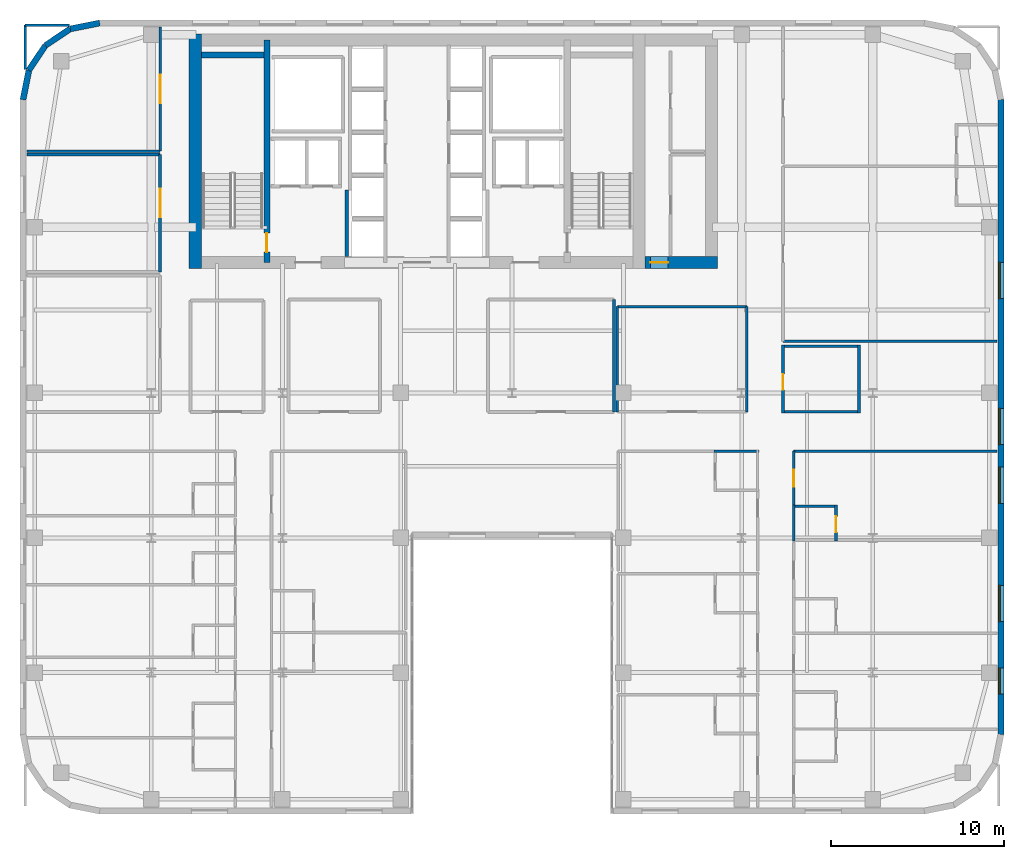
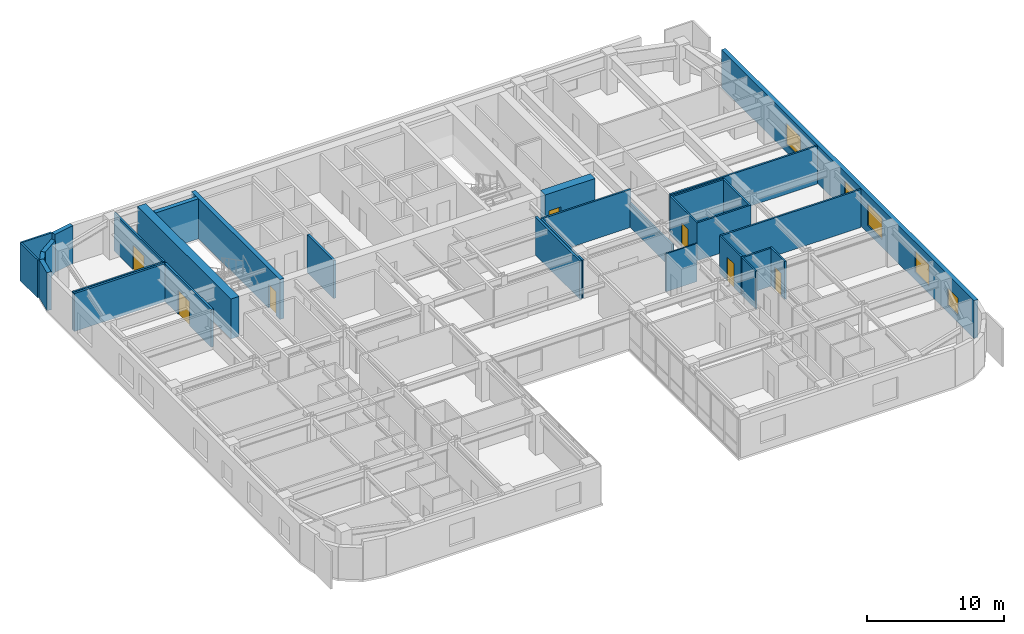
# One storey, part 13 of 17: 31 walls, 7 doors, 5 windows, 12 openings.
"""IFC4 building model written with IfcOpenShell, lengths in metres."""

from ifc_helpers import new_model, si_unit, direction, frame, frame_2d, origin, place, context, subcontext, project, spatial, rectangle, extrude, source, transform, mapped, material, layer, layer_set, type_object, type_shapes, element, fill, save


model = new_model("IFC4")

# Units and contexts
model_context = context("Model", 3, precision=1e-05, world=origin(), true_north=direction((0.0, 1.0)))
body_context = subcontext(model_context, "Body", "Model", "MODEL_VIEW")
ifc_project = project(units=[si_unit("LENGTHUNIT", "METRE"), si_unit("AREAUNIT", "SQUARE_METRE"), si_unit("VOLUMEUNIT", "CUBIC_METRE"), si_unit("PLANEANGLEUNIT", "RADIAN"), si_unit("MASSUNIT", "GRAM", prefix="KILO")], contexts=[model_context])

# Site, building, storey
site_placement = place(None, origin())
site = spatial("IfcSite", under=ifc_project, at=site_placement, CompositionType="ELEMENT")
building_placement = place(site_placement, origin())
building = spatial("IfcBuilding", under=site, at=building_placement, Name="Tolvann Quenvar Hotel", CompositionType="ELEMENT")
storey_placement = place(building_placement, frame((0.0, 0.0, 108.0)))
storey = spatial("IfcBuildingStorey", under=building, at=storey_placement, Name="L27", CompositionType="ELEMENT", Elevation=108.0)

# Wall
ifc_material_1 = material(Name="Concrete S65 (65 MPa)", Category="concrete")
ifc_layer_1 = layer(ifc_material_1, 0.699951171875)
ifc_layer_set_1 = layer_set([ifc_layer_1], Name="Concrete S65 (65 MPa)")
wall_type_1 = type_object("IfcWallType", Name="WALL_CORE_700", PredefinedType="SHEAR", material=ifc_layer_set_1)
wall_1_placement = place(storey_placement, frame((10.14990234375, 31.60009765625, 0.0), z_axis=(0.0, 0.0, 1.0), x_axis=(0.0, 1.0, 0.0)))
element("IfcWall", 1, at=wall_1_placement, inside=storey, type_object=wall_type_1, Name="Rear Core W Shear Wall (L27)", PredefinedType="SHEAR", context=body_context, shape_type="SweptSolid", body=[
    extrude(rectangle(XDim=13.599853515625, YDim=0.699951171875, at=frame_2d((6.7998046875, 0.0))), origin(), (0.0, 0.0, 1.0), 3.550048828125),
])

# Wall, opening, door
wall_2_placement = place(storey_placement, frame((36.199951171875, 31.949951171875, 0.0), z_axis=(0.0, 0.0, 1.0), x_axis=(1.0, 0.0, 0.0)))
wall_2 = element("IfcWall", 2, at=wall_2_placement, inside=storey, type_object=wall_type_1, Name="Core East Annex Shear Wall ANN-S (L27)", PredefinedType="SHEAR", context=body_context, shape_type="SweptSolid", body=[
    extrude(rectangle(XDim=4.199951171875, YDim=0.699951171875, at=frame_2d((2.10009765625, 0.0))), origin(), (0.0, 0.0, 1.0), 3.550048828125),
])
opening_1_placement = place(wall_2_placement, frame((1.340087890625, 0.0, 0.0), z_axis=(0.0, 0.0, 1.0), x_axis=(-1.0, 0.0, 0.0)))
opening_1 = element("IfcOpeningElement", 3, at=opening_1_placement, cuts=wall_2, Name="Opening HD-01", PredefinedType="OPENING", context=body_context, shape_type="SweptSolid", body=[
    extrude(rectangle(XDim=1.02001953125, YDim=2.030029296875, at=frame_2d((0.510009765625, 1.01513671875))), frame((0.0, 0.35986328125, 0.0), z_axis=(0.0, -1.0, 0.0), x_axis=(1.0, 0.0, 0.0)), (0.0, 0.0, 1.0), 0.719970703125),
])
ifc_material_2 = material(Name="Pressed galvanised steel fire-rated door set", Category="steel")
door_type_1 = type_object("IfcDoorType", Name="DOOR_BOH_1020", OperationType="NOTDEFINED", PredefinedType="DOOR", material=ifc_material_2)
shared_shape_1 = source(origin(), body_context, "Body", "SweptSolid", [
    extrude(rectangle(XDim=1.02001953125, YDim=2.030029296875, at=frame_2d((0.510009765625, 1.01513671875))), frame((0.0, 0.02490234375, 0.0), z_axis=(0.0, -1.0, 0.0), x_axis=(1.0, 0.0, 0.0)), (0.0, 0.0, 1.0), 0.050048828125),
])
type_shapes(door_type_1, [shared_shape_1])
door_1_placement = place(opening_1_placement, origin())
door_1 = element("IfcDoor", 4, at=door_1_placement, inside=storey, type_object=door_type_1, Name="Housekeeping Annex Fire Door (L27)", OperationType="SINGLE_SWING_RIGHT", OverallHeight=2.030029296875, OverallWidth=1.02001953125, PredefinedType="DOOR", context=body_context, shape_type="MappedRepresentation", body=[
    mapped(shared_shape_1, transform((0.0, 0.0, 0.0), x_axis=(1.0, 0.0, 0.0), y_axis=(0.0, 1.0, 0.0), z_axis=(0.0, 0.0, 1.0), scale=1.0)),
])
fill(opening_1, door_1)

ifc_layer_2 = layer(ifc_material_1, 0.35009765625)
ifc_layer_set_2 = layer_set([ifc_layer_2], Name="Concrete S65 (65 MPa)")
wall_type_2 = type_object("IfcWallType", Name="WALL_CORE_INT_350", PredefinedType="SHEAR", material=ifc_layer_set_2)
wall_3_placement = place(storey_placement, frame((14.300048828125, 31.949951171875, 0.0), z_axis=(0.0, 0.0, 1.0), x_axis=(0.0, 1.0, 0.0)))
wall_3 = element("IfcWall", 5, at=wall_3_placement, inside=storey, type_object=wall_type_2, Name="Core Internal Web Shear Wall WEB-W (L27)", PredefinedType="SHEAR", context=body_context, shape_type="SweptSolid", body=[
    extrude(rectangle(XDim=12.900146484375, YDim=0.35009765625, at=frame_2d((6.4501953125, 0.0))), origin(), (0.0, 0.0, 1.0), 3.550048828125),
])
opening_2_placement = place(wall_3_placement, frame((0.60009765625, 0.0, 0.0)))
opening_2 = element("IfcOpeningElement", 6, at=opening_2_placement, cuts=wall_3, Name="Opening FD-120", PredefinedType="OPENING", context=body_context, shape_type="SweptSolid", body=[
    extrude(rectangle(XDim=1.10009765625, YDim=2.1201171875, at=frame_2d((0.550048828125, 1.06005859375))), frame((0.0, 0.18505859375, 0.0), z_axis=(0.0, -1.0, 0.0), x_axis=(1.0, 0.0, 0.0)), (0.0, 0.0, 1.0), 0.3701171875),
])
door_type_2 = type_object("IfcDoorType", Name="DOOR_FIRE_STAIR_1100", OperationType="NOTDEFINED", PredefinedType="DOOR", material=ifc_material_2)
shared_shape_2 = source(origin(), body_context, "Body", "SweptSolid", [
    extrude(rectangle(XDim=1.10009765625, YDim=2.1201171875, at=frame_2d((0.550048828125, 1.06005859375))), frame((0.0, 0.02490234375, 0.0), z_axis=(0.0, -1.0, 0.0), x_axis=(1.0, 0.0, 0.0)), (0.0, 0.0, 1.0), 0.050048828125),
])
type_shapes(door_type_2, [shared_shape_2])
door_2_placement = place(opening_2_placement, origin())
door_2 = element("IfcDoor", 7, at=door_2_placement, inside=storey, type_object=door_type_2, Name="Exit Stair ST-C1 Fire Door (L27)", OperationType="SINGLE_SWING_RIGHT", OverallHeight=2.1201171875, OverallWidth=1.10009765625, PredefinedType="DOOR", context=body_context, shape_type="MappedRepresentation", body=[
    mapped(shared_shape_2, transform((0.0, 0.0, 0.0), x_axis=(1.0, 0.0, 0.0), y_axis=(0.0, 1.0, 0.0), z_axis=(0.0, 0.0, 1.0), scale=1.0)),
])
fill(opening_2, door_2)

# Wall
wall_4_placement = place(storey_placement, frame((10.52001953125, 43.97509765625, 0.0), z_axis=(0.0, 0.0, 1.0), x_axis=(1.0, 0.0, 0.0)))
element("IfcWall", 8, at=wall_4_placement, inside=storey, type_object=wall_type_2, Name="Core Stair North Closing Shear Wall STC1-N (L27)", PredefinedType="SHEAR", context=body_context, shape_type="SweptSolid", body=[
    extrude(rectangle(XDim=3.60009765625, YDim=0.35009765625, at=frame_2d((1.800048828125, 0.0))), origin(), (0.0, 0.0, 1.0), 3.550048828125),
])

# Wall, openings, windows
ifc_material_3 = material(Name="Kiln-fired red and buff architectural clay brickwork and terracotta masonry", Category="masonry")
ifc_layer_3 = layer(ifc_material_3, 0.35009765625)
ifc_layer_set_3 = layer_set([ifc_layer_3], Name="Kiln-fired red and buff architectural clay brickwork and terracotta masonry")
wall_type_3 = type_object("IfcWallType", Name="WALL_EXT_BRICK_350", PredefinedType="SOLIDWALL", material=ifc_layer_set_3)
wall_5_placement = place(storey_placement, frame((56.824951171875, 4.6171875, 0.0), z_axis=(0.0, 0.0, 1.0), x_axis=(0.0, 1.0, 0.0)))
wall_5 = element("IfcWall", 9, at=wall_5_placement, inside=storey, type_object=wall_type_3, Name="Exterior Chicago Brick Wall L27-E13", PredefinedType="SOLIDWALL", context=body_context, shape_type="SweptSolid", body=[
    extrude(rectangle(XDim=36.765625, YDim=0.35009765625, at=frame_2d((18.3828125, 0.0))), origin(), (0.0, 0.0, 1.0), 3.3701171875),
])
opening_3_placement = place(wall_5_placement, frame((6.528076171875, 0.0, 0.679931640625)))
opening_3 = element("IfcOpeningElement", 10, at=opening_3_placement, cuts=wall_5, Name="Opening W-02", PredefinedType="OPENING", context=body_context, shape_type="SweptSolid", body=[
    extrude(rectangle(XDim=2.10009765625, YDim=1.89990234375, at=frame_2d((1.050048828125, 0.949951171875))), frame((0.0, 0.18505859375, 0.0), z_axis=(0.0, -1.0, 0.0), x_axis=(1.0, 0.0, 0.0)), (0.0, 0.0, 1.0), 0.3701171875),
])
opening_4_placement = place(wall_5_placement, frame((13.381103515625, 0.0, 0.679931640625)))
opening_4 = element("IfcOpeningElement", 11, at=opening_4_placement, cuts=wall_5, Name="Opening W-02", PredefinedType="OPENING", context=body_context, shape_type="SweptSolid", body=[
    extrude(rectangle(XDim=2.10009765625, YDim=1.89990234375, at=frame_2d((1.050048828125, 0.949951171875))), frame((0.0, 0.18505859375, 0.0), z_axis=(0.0, -1.0, 0.0), x_axis=(1.0, 0.0, 0.0)), (0.0, 0.0, 1.0), 0.3701171875),
])
opening_5_placement = place(wall_5_placement, frame((16.782958984375, 0.0, 0.679931640625)))
opening_5 = element("IfcOpeningElement", 12, at=opening_5_placement, cuts=wall_5, Name="Opening W-02", PredefinedType="OPENING", context=body_context, shape_type="SweptSolid", body=[
    extrude(rectangle(XDim=2.10009765625, YDim=1.89990234375, at=frame_2d((1.050048828125, 0.949951171875))), frame((0.0, 0.18505859375, 0.0), z_axis=(0.0, -1.0, 0.0), x_axis=(1.0, 0.0, 0.0)), (0.0, 0.0, 1.0), 0.3701171875),
])
opening_6_placement = place(wall_5_placement, frame((25.236083984375, 0.0, 0.679931640625)))
opening_6 = element("IfcOpeningElement", 13, at=opening_6_placement, cuts=wall_5, Name="Opening W-02", PredefinedType="OPENING", context=body_context, shape_type="SweptSolid", body=[
    extrude(rectangle(XDim=2.10009765625, YDim=1.89990234375, at=frame_2d((1.050048828125, 0.949951171875))), frame((0.0, 0.18505859375, 0.0), z_axis=(0.0, -1.0, 0.0), x_axis=(1.0, 0.0, 0.0)), (0.0, 0.0, 1.0), 0.3701171875),
])
opening_7_placement = place(wall_5_placement, frame((2.3330078125, 0.0, 0.6201171875)))
opening_7 = element("IfcOpeningElement", 14, at=opening_7_placement, cuts=wall_5, Name="Opening W-08", PredefinedType="OPENING", context=body_context, shape_type="SweptSolid", body=[
    extrude(rectangle(XDim=1.5, YDim=1.550048828125, at=frame_2d((0.75, 0.77490234375))), frame((0.0, 0.18505859375, 0.0), z_axis=(0.0, -1.0, 0.0), x_axis=(1.0, 0.0, 0.0)), (0.0, 0.0, 1.0), 0.3701171875),
])
ifc_material_4 = material(Name="Thermally broken bronze-anodised aluminium frame with double low-E glazing", Category="aluminium")
window_type_1 = type_object("IfcWindowType", Name="WIN_COR_1500x2050", PartitioningType="SINGLE_PANEL", PredefinedType="WINDOW", material=ifc_material_4)
shared_shape_3 = source(origin(), body_context, "Body", "SweptSolid", [
    extrude(rectangle(XDim=1.5, YDim=1.550048828125, at=frame_2d((0.75, 0.77490234375))), frame((0.0, 0.090087890625, 0.0), z_axis=(0.0, -1.0, 0.0), x_axis=(1.0, 0.0, 0.0)), (0.0, 0.0, 1.0), 0.06005859375),
])
type_shapes(window_type_1, [shared_shape_3])
window_1_placement = place(opening_7_placement, origin())
window_1 = element("IfcWindow", 15, at=window_1_placement, inside=storey, type_object=window_type_1, Name="Chicago Window W-08 (EW-L27-E13-WD05)", OverallHeight=1.550048828125, OverallWidth=1.5, PartitioningType="SINGLE_PANEL", PredefinedType="WINDOW", context=body_context, shape_type="MappedRepresentation", body=[
    mapped(shared_shape_3, transform((0.0, 0.0, 0.0), x_axis=(1.0, 0.0, 0.0), y_axis=(0.0, 1.0, 0.0), z_axis=(0.0, 0.0, 1.0), scale=1.0)),
])
fill(opening_7, window_1)
window_type_2 = type_object("IfcWindowType", Name="WIN_CHI_2100x2050", PartitioningType="TRIPLE_PANEL_HORIZONTAL", PredefinedType="WINDOW", material=ifc_material_4)
shared_shape_4 = source(origin(), body_context, "Body", "SweptSolid", [
    extrude(rectangle(XDim=2.10009765625, YDim=1.89990234375, at=frame_2d((1.050048828125, 0.949951171875))), frame((0.0, 0.090087890625, 0.0), z_axis=(0.0, -1.0, 0.0), x_axis=(1.0, 0.0, 0.0)), (0.0, 0.0, 1.0), 0.06005859375),
])
type_shapes(window_type_2, [shared_shape_4])
window_2_placement = place(opening_3_placement, origin())
window_2 = element("IfcWindow", 16, at=window_2_placement, inside=storey, type_object=window_type_2, Name="Chicago Window W-02 (EW-L27-E13-W01)", OverallHeight=1.89990234375, OverallWidth=2.10009765625, PartitioningType="TRIPLE_PANEL_HORIZONTAL", PredefinedType="WINDOW", context=body_context, shape_type="MappedRepresentation", body=[
    mapped(shared_shape_4, transform((0.0, 0.0, 0.0), x_axis=(1.0, 0.0, 0.0), y_axis=(0.0, 1.0, 0.0), z_axis=(0.0, 0.0, 1.0), scale=1.0)),
])
fill(opening_3, window_2)
window_3_placement = place(opening_4_placement, origin())
window_3 = element("IfcWindow", 17, at=window_3_placement, inside=storey, type_object=window_type_2, Name="Chicago Window W-02 (EW-L27-E13-W02)", OverallHeight=1.89990234375, OverallWidth=2.10009765625, PartitioningType="TRIPLE_PANEL_HORIZONTAL", PredefinedType="WINDOW", context=body_context, shape_type="MappedRepresentation", body=[
    mapped(shared_shape_4, transform((0.0, 0.0, 0.0), x_axis=(1.0, 0.0, 0.0), y_axis=(0.0, 1.0, 0.0), z_axis=(0.0, 0.0, 1.0), scale=1.0)),
])
fill(opening_4, window_3)
window_4_placement = place(opening_5_placement, origin())
window_4 = element("IfcWindow", 18, at=window_4_placement, inside=storey, type_object=window_type_2, Name="Chicago Window W-02 (EW-L27-E13-W03)", OverallHeight=1.89990234375, OverallWidth=2.10009765625, PartitioningType="TRIPLE_PANEL_HORIZONTAL", PredefinedType="WINDOW", context=body_context, shape_type="MappedRepresentation", body=[
    mapped(shared_shape_4, transform((0.0, 0.0, 0.0), x_axis=(1.0, 0.0, 0.0), y_axis=(0.0, 1.0, 0.0), z_axis=(0.0, 0.0, 1.0), scale=1.0)),
])
fill(opening_5, window_4)
window_5_placement = place(opening_6_placement, origin())
window_5 = element("IfcWindow", 19, at=window_5_placement, inside=storey, type_object=window_type_2, Name="Chicago Window W-02 (EW-L27-E13-W04)", OverallHeight=1.89990234375, OverallWidth=2.10009765625, PartitioningType="TRIPLE_PANEL_HORIZONTAL", PredefinedType="WINDOW", context=body_context, shape_type="MappedRepresentation", body=[
    mapped(shared_shape_4, transform((0.0, 0.0, 0.0), x_axis=(1.0, 0.0, 0.0), y_axis=(0.0, 1.0, 0.0), z_axis=(0.0, 0.0, 1.0), scale=1.0)),
])
fill(opening_6, window_5)

# Walls
wall_6_placement = place(storey_placement, frame((4.6171875, 45.824951171875, 0.0), z_axis=(0.0, 0.0, 1.0), x_axis=(-0.980800971659, -0.195011420161, 0.0)))
element("IfcWall", 20, at=wall_6_placement, inside=storey, type_object=wall_type_3, Name="Exterior Chicago Brick Wall L27-E19", PredefinedType="SOLIDWALL", context=body_context, shape_type="SweptSolid", body=[
    extrude(rectangle(XDim=1.74267578125, YDim=0.35009765625, at=frame_2d((0.871337890625, 0.0))), origin(), (0.0, 0.0, 1.0), 3.3701171875),
])
for number, where, z_axis, x_axis, name in (
    (21, (2.907958984375, 45.485107421875, 0.0), (0.0, 0.0, 1.0), (-0.831483840845, -0.55554893791, 0.0), "Exterior Chicago Brick Wall L27-E20"),
    (22, (1.473388671875, 44.526611328125, 0.0), (0.0, 0.0, 1.0), (-0.55554893791, -0.831483840845, 0.0), "Exterior Chicago Brick Wall L27-E21"),
):
    element("IfcWall", number, at=place(storey_placement, frame(where, z_axis=z_axis, x_axis=x_axis)), inside=storey, type_object=wall_type_3, Name=name, PredefinedType="SOLIDWALL", context=body_context, shape_type="SweptSolid", body=[
        extrude(rectangle(XDim=1.725341796875, YDim=0.35009765625, at=frame_2d((0.86279296875, 0.0))), origin(), (0.0, 0.0, 1.0), 2.83203125),
    ])
wall_7_placement = place(storey_placement, frame((0.514892578125, 43.092041015625, 0.0), z_axis=(0.0, 0.0, 1.0), x_axis=(-0.195011420161, -0.980800971659, 0.0)))
element("IfcWall", 23, at=wall_7_placement, inside=storey, type_object=wall_type_3, Name="Exterior Chicago Brick Wall L27-E22", PredefinedType="SOLIDWALL", context=body_context, shape_type="SweptSolid", body=[
    extrude(rectangle(XDim=1.74267578125, YDim=0.35009765625, at=frame_2d((0.871337890625, 0.0))), origin(), (0.0, 0.0, 1.0), 3.3701171875),
])
ifc_material_5 = material(Name="Acoustic twin-stud fire-rated gypsum plasterboard partition")
ifc_layer_4 = layer(ifc_material_5, 0.179931640625)
ifc_layer_set_4 = layer_set([ifc_layer_4], Name="Acoustic twin-stud fire-rated gypsum plasterboard partition")
wall_type_4 = type_object("IfcWallType", Name="WALL_PART_ACOUSTIC_180", PredefinedType="PARTITIONING", material=ifc_layer_set_4)
wall_8_placement = place(storey_placement, frame((0.405029296875, 38.199951171875, 0.0), z_axis=(0.0, 0.0, 1.0), x_axis=(1.0, 0.0, 0.0)))
element("IfcWall", 24, at=wall_8_placement, inside=storey, type_object=wall_type_4, Name="Interior Partition PT-SPC-L27-MTG-N", PredefinedType="PARTITIONING", context=body_context, shape_type="SweptSolid", body=[
    extrude(rectangle(XDim=7.715087890625, YDim=0.179931640625, at=frame_2d((3.857421875, 0.0))), origin(), (0.0, 0.0, 1.0), 3.3701171875),
])

# Wall, opening, door
wall_9_placement = place(storey_placement, frame((8.1201171875, 31.39990234375, 0.0), z_axis=(0.0, 0.0, 1.0), x_axis=(0.0, 1.0, 0.0)))
wall_9 = element("IfcWall", 25, at=wall_9_placement, inside=storey, type_object=wall_type_4, Name="Interior Partition PT-SPC-L27-MTG-E", PredefinedType="PARTITIONING", context=body_context, shape_type="SweptSolid", body=[
    extrude(rectangle(XDim=6.800048828125, YDim=0.179931640625, at=frame_2d((3.39990234375, 0.0))), origin(), (0.0, 0.0, 1.0), 3.3701171875),
])
opening_8_placement = place(wall_9_placement, frame((3.175048828125, 0.0, 0.0)))
opening_8 = element("IfcOpeningElement", 26, at=opening_8_placement, cuts=wall_9, Name="Opening AD-01", PredefinedType="OPENING", context=body_context, shape_type="SweptSolid", body=[
    extrude(rectangle(XDim=1.64990234375, YDim=2.14990234375, at=frame_2d((0.824951171875, 1.074951171875))), frame((0.0, 0.10009765625, 0.0), z_axis=(0.0, -1.0, 0.0), x_axis=(1.0, 0.0, 0.0)), (0.0, 0.0, 1.0), 0.199951171875),
])
ifc_material_6 = material(Name="Solid-core American oak acoustic fire door leaf in steel frame", Category="steel")
door_type_3 = type_object("IfcDoorType", Name="DOOR_SALON_1650", OperationType="NOTDEFINED", PredefinedType="DOOR", material=ifc_material_6)
shared_shape_5 = source(origin(), body_context, "Body", "SweptSolid", [
    extrude(rectangle(XDim=1.64990234375, YDim=2.14990234375, at=frame_2d((0.824951171875, 1.074951171875))), frame((0.0, 0.02490234375, 0.0), z_axis=(0.0, -1.0, 0.0), x_axis=(1.0, 0.0, 0.0)), (0.0, 0.0, 1.0), 0.050048828125),
])
type_shapes(door_type_3, [shared_shape_5])
door_3_placement = place(opening_8_placement, origin())
door_3 = element("IfcDoor", 27, at=door_3_placement, inside=storey, type_object=door_type_3, Name="Interior Door DOOR-SPC-L27-MTG", OperationType="DOUBLE_DOOR_SINGLE_SWING", OverallHeight=2.14990234375, OverallWidth=1.64990234375, PredefinedType="DOOR", context=body_context, shape_type="MappedRepresentation", body=[
    mapped(shared_shape_5, transform((0.0, 0.0, 0.0), x_axis=(1.0, 0.0, 0.0), y_axis=(0.0, 1.0, 0.0), z_axis=(0.0, 0.0, 1.0), scale=1.0)),
])
fill(opening_8, door_3)

# Walls
wall_10_placement = place(storey_placement, frame((34.39990234375, 23.300048828125, 0.0), z_axis=(0.0, 0.0, 1.0), x_axis=(0.0, 1.0, 0.0)))
element("IfcWall", 28, at=wall_10_placement, inside=storey, type_object=wall_type_4, Name="Interior Partition PT-SPC-L27-MSP-C-E", PredefinedType="PARTITIONING", context=body_context, shape_type="SweptSolid", body=[
    extrude(rectangle(XDim=6.5, YDim=0.179931640625, at=frame_2d((3.25, 0.0))), origin(), (0.0, 0.0, 1.0), 3.3701171875),
])
ifc_material_7 = material(Name="Moisture-resistant acoustic plumbing wall assembly")
ifc_layer_5 = layer(ifc_material_7, 0.1201171875)
ifc_layer_set_5 = layer_set([ifc_layer_5], Name="Moisture-resistant acoustic plumbing wall assembly")
wall_type_5 = type_object("IfcWallType", Name="WALL_PART_BATH_120", PredefinedType="PLUMBINGWALL", material=ifc_layer_set_5)
wall_11_placement = place(storey_placement, frame((40.2099609375, 21.02001953125, 0.0), z_axis=(0.0, 0.0, 1.0), x_axis=(1.0, 0.0, 0.0)))
element("IfcWall", 29, at=wall_11_placement, inside=storey, type_object=wall_type_5, Name="Non-Rated Plumbing Partition PT-SPC-L27-ENS-EI03-N", PredefinedType="PLUMBINGWALL", context=body_context, shape_type="SweptSolid", body=[
    extrude(rectangle(XDim=2.590087890625, YDim=0.1201171875, at=frame_2d((1.294921875, 0.0))), origin(), (0.0, 0.0, 1.0), 3.3701171875),
])
wall_12_placement = place(storey_placement, frame((44.820068359375, 15.81005859375, 0.0), z_axis=(0.0, 0.0, 1.0), x_axis=(0.0, 1.0, 0.0)))
element("IfcWall", 30, at=wall_12_placement, inside=storey, type_object=wall_type_5, Name="Non-Rated Plumbing Partition PT-SPC-L27-ENS-EO04-W", PredefinedType="PLUMBINGWALL", context=body_context, shape_type="SweptSolid", body=[
    extrude(rectangle(XDim=2.093017578125, YDim=0.1201171875, at=frame_2d((1.04638671875, 0.0))), origin(), (0.0, 0.0, 1.0), 3.3701171875),
])

# Wall, opening, door
ifc_layer_6 = layer(ifc_material_5, 0.14990234375)
ifc_layer_set_6 = layer_set([ifc_layer_6], Name="Acoustic twin-stud fire-rated gypsum plasterboard partition")
wall_type_6 = type_object("IfcWallType", Name="WALL_PART_SUITE_150", PredefinedType="PARTITIONING", material=ifc_layer_set_6)
wall_13_placement = place(storey_placement, frame((47.27001953125, 15.81005859375, 0.0), z_axis=(0.0, 0.0, 1.0), x_axis=(0.0, 1.0, 0.0)))
wall_13 = element("IfcWall", 31, at=wall_13_placement, inside=storey, type_object=wall_type_6, Name="Interior Partition PT-SPC-L27-ENS-EO04-ENT", PredefinedType="PARTITIONING", context=body_context, shape_type="SweptSolid", body=[
    extrude(rectangle(XDim=2.093017578125, YDim=0.14990234375, at=frame_2d((1.04638671875, 0.0))), origin(), (0.0, 0.0, 1.0), 3.3701171875),
])
opening_9_placement = place(wall_13_placement, frame((0.5166015625, 0.0, 0.0)))
opening_9 = element("IfcOpeningElement", 32, at=opening_9_placement, cuts=wall_13, Name="Opening WD-01", PredefinedType="OPENING", context=body_context, shape_type="SweptSolid", body=[
    extrude(rectangle(XDim=0.919921875, YDim=2.010009765625, at=frame_2d((0.4599609375, 1.0048828125))), frame((0.0, 0.0849609375, 0.0), z_axis=(0.0, -1.0, 0.0), x_axis=(1.0, 0.0, 0.0)), (0.0, 0.0, 1.0), 0.169921875),
])
door_type_4 = type_object("IfcDoorType", Name="DOOR_WC_920", OperationType="NOTDEFINED", PredefinedType="DOOR", material=ifc_material_6)
shared_shape_6 = source(origin(), body_context, "Body", "SweptSolid", [
    extrude(rectangle(XDim=0.919921875, YDim=2.010009765625, at=frame_2d((0.4599609375, 1.0048828125))), frame((0.0, 0.02490234375, 0.0), z_axis=(0.0, -1.0, 0.0), x_axis=(1.0, 0.0, 0.0)), (0.0, 0.0, 1.0), 0.050048828125),
])
type_shapes(door_type_4, [shared_shape_6])
door_4_placement = place(opening_9_placement, origin())
door_4 = element("IfcDoor", 33, at=door_4_placement, inside=storey, type_object=door_type_4, Name="Interior Door DOOR-SPC-L27-ENS-EO04", OperationType="SINGLE_SWING_LEFT", OverallHeight=2.010009765625, OverallWidth=0.919921875, PredefinedType="DOOR", context=body_context, shape_type="MappedRepresentation", body=[
    mapped(shared_shape_6, transform((0.0, 0.0, 0.0), x_axis=(1.0, 0.0, 0.0), y_axis=(0.0, 1.0, 0.0), z_axis=(0.0, 0.0, 1.0), scale=1.0)),
])
fill(opening_9, door_4)

# Wall
wall_14_placement = place(storey_placement, frame((44.75, 17.8330078125, 0.0), z_axis=(0.0, 0.0, 1.0), x_axis=(1.0, 0.0, 0.0)))
element("IfcWall", 34, at=wall_14_placement, inside=storey, type_object=wall_type_6, Name="Interior Partition PT-SPC-L27-ENS-EO04-N", PredefinedType="PARTITIONING", context=body_context, shape_type="SweptSolid", body=[
    extrude(rectangle(XDim=2.590087890625, YDim=0.14990234375, at=frame_2d((1.294921875, 0.0))), origin(), (0.0, 0.0, 1.0), 3.3701171875),
])

# Wall, opening, door
wall_15_placement = place(storey_placement, frame((44.820068359375, 17.9130859375, 0.0), z_axis=(0.0, 0.0, 1.0), x_axis=(0.0, 1.0, 0.0)))
wall_15 = element("IfcWall", 35, at=wall_15_placement, inside=storey, type_object=wall_type_6, Name="Interior Partition PT-SPC-L27-RM-EO04-ENT", PredefinedType="PARTITIONING", context=body_context, shape_type="SweptSolid", body=[
    extrude(rectangle(XDim=3.10693359375, YDim=0.14990234375, at=frame_2d((1.553466796875, 0.0))), origin(), (0.0, 0.0, 1.0), 3.3701171875),
])
opening_10_placement = place(wall_15_placement, frame((1.04345703125, 0.0, 0.0)))
opening_10 = element("IfcOpeningElement", 36, at=opening_10_placement, cuts=wall_15, Name="Opening SD-01", PredefinedType="OPENING", context=body_context, shape_type="SweptSolid", body=[
    extrude(rectangle(XDim=0.97998046875, YDim=2.1201171875, at=frame_2d((0.489990234375, 1.06005859375))), frame((0.0, 0.0849609375, 0.0), z_axis=(0.0, -1.0, 0.0), x_axis=(1.0, 0.0, 0.0)), (0.0, 0.0, 1.0), 0.169921875),
])
door_type_5 = type_object("IfcDoorType", Name="DOOR_SUITE_980", OperationType="NOTDEFINED", PredefinedType="DOOR", material=ifc_material_6)
shared_shape_7 = source(origin(), body_context, "Body", "SweptSolid", [
    extrude(rectangle(XDim=0.97998046875, YDim=2.1201171875, at=frame_2d((0.489990234375, 1.06005859375))), frame((0.0, 0.02490234375, 0.0), z_axis=(0.0, -1.0, 0.0), x_axis=(1.0, 0.0, 0.0)), (0.0, 0.0, 1.0), 0.050048828125),
])
type_shapes(door_type_5, [shared_shape_7])
door_5_placement = place(opening_10_placement, origin())
door_5 = element("IfcDoor", 37, at=door_5_placement, inside=storey, type_object=door_type_5, Name="Interior Door DOOR-SPC-L27-RM-EO04", OperationType="SINGLE_SWING_LEFT", OverallHeight=2.1201171875, OverallWidth=0.97998046875, PredefinedType="DOOR", context=body_context, shape_type="MappedRepresentation", body=[
    mapped(shared_shape_7, transform((0.0, 0.0, 0.0), x_axis=(1.0, 0.0, 0.0), y_axis=(0.0, 1.0, 0.0), z_axis=(0.0, 0.0, 1.0), scale=1.0)),
])
fill(opening_10, door_5)

# Walls
wall_16_placement = place(storey_placement, frame((44.820068359375, 21.02001953125, 0.0), z_axis=(0.0, 0.0, 1.0), x_axis=(1.0, 0.0, 0.0)))
element("IfcWall", 38, at=wall_16_placement, inside=storey, type_object=wall_type_6, Name="Interior Partition PT-SPC-L27-RM-EO04-E5", PredefinedType="PARTITIONING", context=body_context, shape_type="SweptSolid", body=[
    extrude(rectangle(XDim=11.77490234375, YDim=0.14990234375, at=frame_2d((5.887451171875, 0.0))), origin(), (0.0, 0.0, 1.0), 3.3701171875),
])
wall_17_placement = place(storey_placement, frame((0.405029296875, 38.39990234375, 0.0), z_axis=(0.0, 0.0, 1.0), x_axis=(1.0, 0.0, 0.0)))
element("IfcWall", 39, at=wall_17_placement, inside=storey, type_object=wall_type_6, Name="Interior Partition PT-SPC-L27-TEA-S", PredefinedType="PARTITIONING", context=body_context, shape_type="SweptSolid", body=[
    extrude(rectangle(XDim=7.715087890625, YDim=0.14990234375, at=frame_2d((3.857421875, 0.0))), origin(), (0.0, 0.0, 1.0), 3.3701171875),
])
for number, where, z_axis, x_axis, name in (
    (40, (0.300048828125, 45.699951171875, 0.0), (0.0, 0.0, 1.0), (1.0, 0.0, 0.0), "Interior Partition PT-SPC-L27-TEA-N"),
    (41, (0.300048828125, 43.135009765625, 0.0), (0.0, 0.0, 1.0), (0.0, 1.0, 0.0), "Interior Partition PT-SPC-L27-TEA-W"),
):
    element("IfcWall", number, at=place(storey_placement, frame(where, z_axis=z_axis, x_axis=x_axis)), inside=storey, type_object=wall_type_6, Name=name, PredefinedType="PARTITIONING", context=body_context, shape_type="SweptSolid", body=[
        extrude(rectangle(XDim=2.56494140625, YDim=0.14990234375, at=frame_2d((1.282470703125, 0.0))), origin(), (0.0, 0.0, 1.0), 3.3701171875),
    ])

# Wall, opening, door
wall_18_placement = place(storey_placement, frame((8.1201171875, 38.39990234375, 0.0), z_axis=(0.0, 0.0, 1.0), x_axis=(0.0, 1.0, 0.0)))
wall_18 = element("IfcWall", 42, at=wall_18_placement, inside=storey, type_object=wall_type_6, Name="Interior Partition PT-SPC-L27-TEA-E", PredefinedType="PARTITIONING", context=body_context, shape_type="SweptSolid", body=[
    extrude(rectangle(XDim=7.195068359375, YDim=0.14990234375, at=frame_2d((3.59765625, 0.0))), origin(), (0.0, 0.0, 1.0), 3.3701171875),
])
opening_11_placement = place(wall_18_placement, frame((2.7724609375, 0.0, 0.0)))
opening_11 = element("IfcOpeningElement", 43, at=opening_11_placement, cuts=wall_18, Name="Opening AD-01", PredefinedType="OPENING", context=body_context, shape_type="SweptSolid", body=[
    extrude(rectangle(XDim=1.64990234375, YDim=2.14990234375, at=frame_2d((0.824951171875, 1.074951171875))), frame((0.0, 0.0849609375, 0.0), z_axis=(0.0, -1.0, 0.0), x_axis=(1.0, 0.0, 0.0)), (0.0, 0.0, 1.0), 0.169921875),
])
door_6_placement = place(opening_11_placement, origin())
door_6 = element("IfcDoor", 44, at=door_6_placement, inside=storey, type_object=door_type_3, Name="Interior Door DOOR-SPC-L27-TEA", OperationType="DOUBLE_DOOR_SINGLE_SWING", OverallHeight=2.14990234375, OverallWidth=1.64990234375, PredefinedType="DOOR", context=body_context, shape_type="MappedRepresentation", body=[
    mapped(shared_shape_5, transform((0.0, 0.0, 0.0), x_axis=(1.0, 0.0, 0.0), y_axis=(0.0, 1.0, 0.0), z_axis=(0.0, 0.0, 1.0), scale=1.0)),
])
fill(opening_11, door_6)

wall_19_placement = place(storey_placement, frame((44.199951171875, 23.22998046875, 0.0), z_axis=(0.0, 0.0, 1.0), x_axis=(0.0, 1.0, 0.0)))
wall_19 = element("IfcWall", 45, at=wall_19_placement, inside=storey, type_object=wall_type_6, Name="Interior Partition PT-SPC-L27-WCA-ENT", PredefinedType="PARTITIONING", context=body_context, shape_type="SweptSolid", body=[
    extrude(rectangle(XDim=3.93994140625, YDim=0.14990234375, at=frame_2d((1.969970703125, 0.0))), origin(), (0.0, 0.0, 1.0), 3.3701171875),
])
opening_12_placement = place(wall_19_placement, frame((1.340087890625, 0.0, 0.0)))
opening_12 = element("IfcOpeningElement", 46, at=opening_12_placement, cuts=wall_19, Name="Opening WD-01", PredefinedType="OPENING", context=body_context, shape_type="SweptSolid", body=[
    extrude(rectangle(XDim=0.919921875, YDim=2.010009765625, at=frame_2d((0.4599609375, 1.0048828125))), frame((0.0, 0.0849609375, 0.0), z_axis=(0.0, -1.0, 0.0), x_axis=(1.0, 0.0, 0.0)), (0.0, 0.0, 1.0), 0.169921875),
])
door_7_placement = place(opening_12_placement, origin())
door_7 = element("IfcDoor", 47, at=door_7_placement, inside=storey, type_object=door_type_4, Name="Interior Door DOOR-SPC-L27-WCA", OperationType="SINGLE_SWING_RIGHT", OverallHeight=2.010009765625, OverallWidth=0.919921875, PredefinedType="DOOR", context=body_context, shape_type="MappedRepresentation", body=[
    mapped(shared_shape_6, transform((0.0, 0.0, 0.0), x_axis=(1.0, 0.0, 0.0), y_axis=(0.0, 1.0, 0.0), z_axis=(0.0, 0.0, 1.0), scale=1.0)),
])
fill(opening_12, door_7)

# Walls
for number, where, z_axis, x_axis, name in (
    (48, (44.1298828125, 23.300048828125, 0.0), (0.0, 0.0, 1.0), (1.0, 0.0, 0.0), "Interior Partition PT-SPC-L27-WCA-S"),
    (49, (44.1298828125, 27.10009765625, 0.0), (0.0, 0.0, 1.0), (1.0, 0.0, 0.0), "Interior Partition PT-SPC-L27-WCA-N"),
):
    element("IfcWall", number, at=place(storey_placement, frame(where, z_axis=z_axis, x_axis=x_axis)), inside=storey, type_object=wall_type_6, Name=name, PredefinedType="PARTITIONING", context=body_context, shape_type="SweptSolid", body=[
        extrude(rectangle(XDim=4.5400390625, YDim=0.14990234375, at=frame_2d((2.27001953125, 0.0))), origin(), (0.0, 0.0, 1.0), 3.3701171875),
    ])
wall_20_placement = place(storey_placement, frame((48.60009765625, 23.22998046875, 0.0), z_axis=(0.0, 0.0, 1.0), x_axis=(0.0, 1.0, 0.0)))
element("IfcWall", 50, at=wall_20_placement, inside=storey, type_object=wall_type_6, Name="Interior Partition PT-SPC-L27-WCA-E", PredefinedType="PARTITIONING", context=body_context, shape_type="SweptSolid", body=[
    extrude(rectangle(XDim=3.93994140625, YDim=0.14990234375, at=frame_2d((1.969970703125, 0.0))), origin(), (0.0, 0.0, 1.0), 3.3701171875),
])
wall_21_placement = place(storey_placement, frame((44.199951171875, 27.3798828125, 0.0), z_axis=(0.0, 0.0, 1.0), x_axis=(1.0, 0.0, 0.0)))
element("IfcWall", 51, at=wall_21_placement, inside=storey, type_object=wall_type_6, Name="Interior Partition PT-SPC-L27-RM-NE01-E1", PredefinedType="PARTITIONING", context=body_context, shape_type="SweptSolid", body=[
    extrude(rectangle(XDim=12.39501953125, YDim=0.14990234375, at=frame_2d((6.197509765625, 0.0))), origin(), (0.0, 0.0, 1.0), 3.3701171875),
])
wall_22_placement = place(storey_placement, frame((34.60009765625, 29.39990234375, 0.0), z_axis=(0.0, 0.0, 1.0), x_axis=(1.0, 0.0, 0.0)))
element("IfcWall", 52, at=wall_22_placement, inside=storey, type_object=wall_type_6, Name="Interior Partition PT-SPC-L27-MSP-E-N", PredefinedType="PARTITIONING", context=body_context, shape_type="SweptSolid", body=[
    extrude(rectangle(XDim=7.5, YDim=0.14990234375, at=frame_2d((3.75, 0.0))), origin(), (0.0, 0.0, 1.0), 3.3701171875),
])
wall_23_placement = place(storey_placement, frame((34.60009765625, 23.300048828125, 0.0), z_axis=(0.0, 0.0, 1.0), x_axis=(0.0, 1.0, 0.0)))
element("IfcWall", 53, at=wall_23_placement, inside=storey, type_object=wall_type_6, Name="Interior Partition PT-SPC-L27-MSP-E-W", PredefinedType="PARTITIONING", context=body_context, shape_type="SweptSolid", body=[
    extrude(rectangle(XDim=6.099853515625, YDim=0.14990234375, at=frame_2d((3.0498046875, 0.0))), origin(), (0.0, 0.0, 1.0), 3.3701171875),
])
wall_24_placement = place(storey_placement, frame((42.10009765625, 23.300048828125, 0.0), z_axis=(0.0, 0.0, 1.0), x_axis=(0.0, 1.0, 0.0)))
element("IfcWall", 54, at=wall_24_placement, inside=storey, type_object=wall_type_6, Name="Interior Partition PT-SPC-L27-MSP-E-E", PredefinedType="PARTITIONING", context=body_context, shape_type="SweptSolid", body=[
    extrude(rectangle(XDim=6.099853515625, YDim=0.14990234375, at=frame_2d((3.0498046875, 0.0))), origin(), (0.0, 0.0, 1.0), 2.159912109375),
])
ifc_material_8 = material(Name="Concrete N40 (40 MPa)", Category="concrete")
ifc_layer_7 = layer(ifc_material_8, 0.199951171875)
ifc_layer_set_7 = layer_set([ifc_layer_7], Name="Concrete N40 (40 MPa)")
wall_type_7 = type_object("IfcWallType", Name="WALL_SHAFT_200", PredefinedType="SOLIDWALL", material=ifc_layer_set_7)
wall_25_placement = place(storey_placement, frame((18.919921875, 32.303955078125, 0.0), z_axis=(0.0, 0.0, 1.0), x_axis=(0.0, 1.0, 0.0)))
element("IfcWall", 55, at=wall_25_placement, inside=storey, type_object=wall_type_7, Name="Firefighting Lobby W Inner Fire Wall (L27)", PredefinedType="SOLIDWALL", context=body_context, shape_type="SweptSolid", body=[
    extrude(rectangle(XDim=3.845947265625, YDim=0.199951171875, at=frame_2d((1.9228515625, 0.0))), origin(), (0.0, 0.0, 1.0), 3.3701171875),
])

save(model, "model.ifc")
